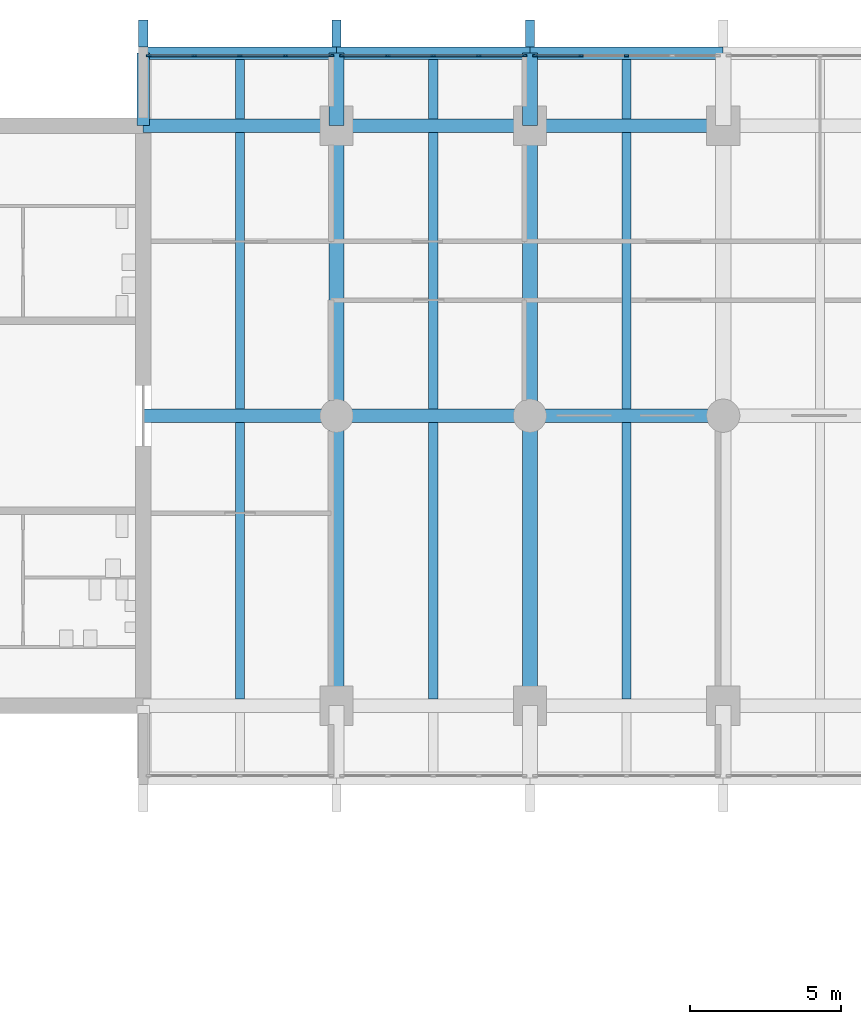
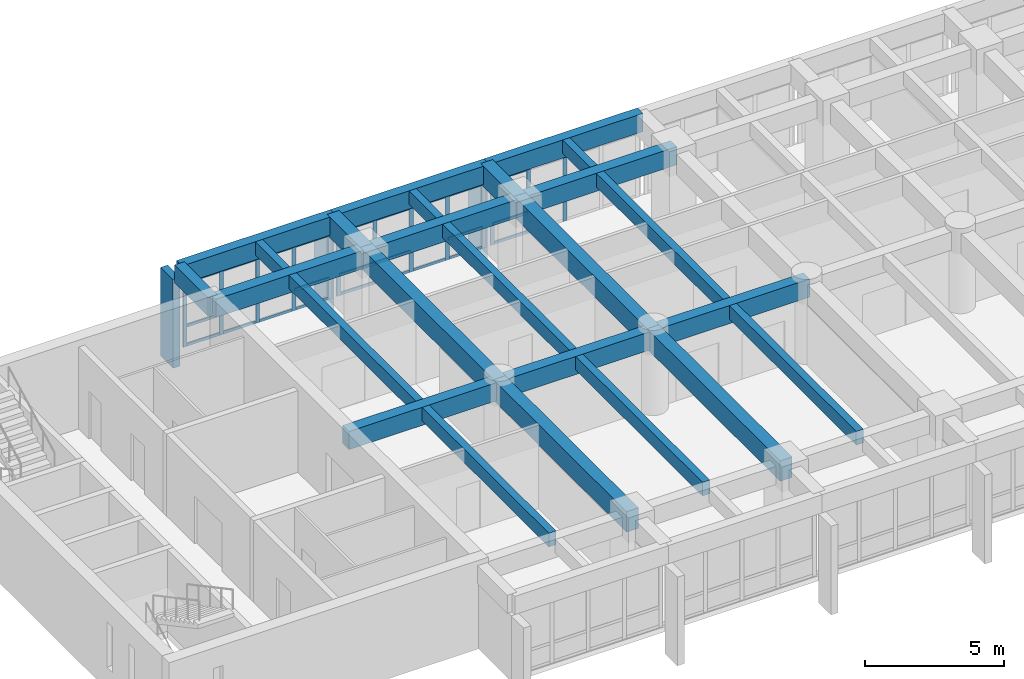
# One storey, part 4 of 19: 43 members, 25 beams, 3 elements without a shape of their own.
"""IFC4 building model written with IfcOpenShell, lengths in metres."""

from ifc_helpers import new_model, si_unit, direction, frame, origin, origin_2d, place, context, subcontext, project, spatial, rectangle, extrude, material, layer, layer_set, material_profile, profile_set, type_object, element, aggregate, save


model = new_model("IFC4")

# Units and contexts
model_context = context("Model", 3, precision=1e-05, world=origin(), true_north=direction((0.0, 1.0)))
body_context = subcontext(model_context, "Body", "Model", "MODEL_VIEW")
ifc_project = project(units=[si_unit("LENGTHUNIT", "METRE"), si_unit("AREAUNIT", "SQUARE_METRE"), si_unit("VOLUMEUNIT", "CUBIC_METRE"), si_unit("PLANEANGLEUNIT", "RADIAN"), si_unit("MASSUNIT", "GRAM", prefix="KILO")], contexts=[model_context])

# Site, building, storey
site_placement = place(None, origin())
site = spatial("IfcSite", under=ifc_project, at=site_placement, CompositionType="ELEMENT")
building_placement = place(site_placement, origin())
building = spatial("IfcBuilding", under=site, at=building_placement, Name="Fogon Plaza Fire Station and Headquarters Tower", CompositionType="ELEMENT")
storey_placement = place(building_placement, frame((0.0, 0.0, 17.10009765625)))
storey = spatial("IfcBuildingStorey", under=building, at=storey_placement, Name="L04", CompositionType="ELEMENT", Elevation=17.10009765625)

# Beams
ifc_material_1 = material(Name="Concrete C40", Category="concrete")
ifc_material_profile_1 = material_profile(ifc_material_1, rectangle(XDim=0.39990234375, YDim=0.800048828125, at=origin_2d()), Name="RC 400x800")
ifc_profile_set_1 = profile_set([ifc_material_profile_1], Name="Concrete C40")
beam_type_1 = type_object("IfcBeamType", Name="BEAM RC 400x800", PredefinedType="BEAM", material=ifc_profile_set_1)
for number, where, z_axis, x_axis, name in (
    (1, (25.60009765625, 55.199951171875, 3.27978515625), (1.0, 0.0, 0.0), (0.0, 1.0, 0.0), "beam-L04-045"),
    (2, (32.0, 55.199951171875, 3.27978515625), (1.0, 0.0, 0.0), (0.0, 1.0, 0.0), "beam-L04-046"),
):
    element("IfcBeam", number, at=place(storey_placement, frame(where, z_axis=z_axis, x_axis=x_axis)), inside=storey, type_object=beam_type_1, Name=name, PredefinedType="BEAM", context=body_context, shape_type="SweptSolid", body=[
        extrude(rectangle(XDim=0.39990234375, YDim=0.800048828125, at=origin_2d()), origin(), (0.0, 0.0, 1.0), 6.39990234375),
    ])
beam_1_placement = place(storey_placement, frame((38.39990234375, 55.199951171875, 3.27978515625), z_axis=(1.0, 0.0, 0.0), x_axis=(0.0, 1.0, 0.0)))
element("IfcBeam", 3, at=beam_1_placement, inside=storey, type_object=beam_type_1, Name="beam-L04-047", PredefinedType="BEAM", context=body_context, shape_type="SweptSolid", body=[
    extrude(rectangle(XDim=0.39990234375, YDim=0.800048828125, at=origin_2d()), origin(), (0.0, 0.0, 1.0), 6.400146484375),
])
ifc_material_2 = material(Name="Concrete C40", Category="concrete")
ifc_material_profile_2 = material_profile(ifc_material_2, rectangle(XDim=0.39990234375, YDim=0.800048828125, at=origin_2d()), Name="RC 400x800")
ifc_profile_set_2 = profile_set([ifc_material_profile_2], Name="Concrete C40")
beam_type_2 = type_object("IfcBeamType", Name="BEAM RC 400x800 SPAN 0.0 TO 3.0 M", PredefinedType="BEAM", material=ifc_profile_set_2)
beam_2_placement = place(storey_placement, frame((25.60009765625, 52.800048828125, 3.27978515625), z_axis=(0.0, 1.0, 0.0), x_axis=(-1.0, 0.0, 0.0)))
element("IfcBeam", 4, at=beam_2_placement, inside=storey, type_object=beam_type_2, Name="beam-L04-052", PredefinedType="BEAM", context=body_context, shape_type="SweptSolid", body=[
    extrude(rectangle(XDim=0.39990234375, YDim=0.800048828125, at=origin_2d()), origin(), (0.0, 0.0, 1.0), 2.39990234375),
])
ifc_material_3 = material(Name="Concrete C40", Category="concrete")
ifc_material_profile_3 = material_profile(ifc_material_3, rectangle(XDim=0.449951171875, YDim=0.800048828125, at=origin_2d()), Name="RC 450x800")
ifc_profile_set_3 = profile_set([ifc_material_profile_3], Name="Concrete C40")
beam_type_3 = type_object("IfcBeamType", Name="BEAM RC 450x800", PredefinedType="BEAM", material=ifc_profile_set_3)
for number, where, z_axis, x_axis, name in (
    (5, (25.60009765625, 43.199951171875, 3.27978515625), (1.0, 0.0, 0.0), (0.0, 1.0, 0.0), "beam-L04-027"),
    (6, (32.0, 43.199951171875, 3.27978515625), (1.0, 0.0, 0.0), (0.0, 1.0, 0.0), "beam-L04-028"),
):
    element("IfcBeam", number, at=place(storey_placement, frame(where, z_axis=z_axis, x_axis=x_axis)), inside=storey, type_object=beam_type_3, Name=name, PredefinedType="BEAM", context=body_context, shape_type="SweptSolid", body=[
        extrude(rectangle(XDim=0.449951171875, YDim=0.800048828125, at=origin_2d()), origin(), (0.0, 0.0, 1.0), 6.39990234375),
    ])
beam_3_placement = place(storey_placement, frame((38.39990234375, 43.199951171875, 3.27978515625), z_axis=(1.0, 0.0, 0.0), x_axis=(0.0, 1.0, 0.0)))
element("IfcBeam", 7, at=beam_3_placement, inside=storey, type_object=beam_type_3, Name="beam-L04-029", PredefinedType="BEAM", context=body_context, shape_type="SweptSolid", body=[
    extrude(rectangle(XDim=0.449951171875, YDim=0.800048828125, at=origin_2d()), origin(), (0.0, 0.0, 1.0), 6.400146484375),
])
for number, where, z_axis, x_axis, name in (
    (8, (25.60009765625, 52.800048828125, 3.27978515625), (1.0, 0.0, 0.0), (0.0, 1.0, 0.0), "beam-L04-033"),
    (9, (32.0, 52.800048828125, 3.27978515625), (1.0, 0.0, 0.0), (0.0, 1.0, 0.0), "beam-L04-034"),
):
    element("IfcBeam", number, at=place(storey_placement, frame(where, z_axis=z_axis, x_axis=x_axis)), inside=storey, type_object=beam_type_3, Name=name, PredefinedType="BEAM", context=body_context, shape_type="SweptSolid", body=[
        extrude(rectangle(XDim=0.449951171875, YDim=0.800048828125, at=origin_2d()), origin(), (0.0, 0.0, 1.0), 6.39990234375),
    ])
beam_4_placement = place(storey_placement, frame((38.39990234375, 52.800048828125, 3.27978515625), z_axis=(1.0, 0.0, 0.0), x_axis=(0.0, 1.0, 0.0)))
element("IfcBeam", 10, at=beam_4_placement, inside=storey, type_object=beam_type_3, Name="beam-L04-035", PredefinedType="BEAM", context=body_context, shape_type="SweptSolid", body=[
    extrude(rectangle(XDim=0.449951171875, YDim=0.800048828125, at=origin_2d()), origin(), (0.0, 0.0, 1.0), 6.400146484375),
])
ifc_material_4 = material(Name="Concrete C40", Category="concrete")
ifc_material_profile_4 = material_profile(ifc_material_4, rectangle(XDim=0.5, YDim=0.89990234375, at=origin_2d()), Name="RC 500x900")
ifc_profile_set_4 = profile_set([ifc_material_profile_4], Name="Concrete C40")
beam_type_4 = type_object("IfcBeamType", Name="BEAM RC 500x900 SPAN 0.0 TO 3.0 M", PredefinedType="BEAM", material=ifc_profile_set_4)
for number, where, z_axis, x_axis, name in (
    (11, (32.0, 52.800048828125, 3.22998046875), (0.0, 1.0, 0.0), (-1.0, 0.0, 0.0), "beam-L04-004"),
    (12, (38.39990234375, 52.800048828125, 3.22998046875), (0.0, 1.0, 0.0), (-1.0, 0.0, 0.0), "beam-L04-008"),
):
    element("IfcBeam", number, at=place(storey_placement, frame(where, z_axis=z_axis, x_axis=x_axis)), inside=storey, type_object=beam_type_4, Name=name, PredefinedType="BEAM", context=body_context, shape_type="SweptSolid", body=[
        extrude(rectangle(XDim=0.5, YDim=0.89990234375, at=origin_2d()), origin(), (0.0, 0.0, 1.0), 2.39990234375),
    ])
ifc_material_5 = material(Name="Concrete C40", Category="concrete")
ifc_material_profile_5 = material_profile(ifc_material_5, rectangle(XDim=0.5, YDim=0.89990234375, at=origin_2d()), Name="RC 500x900")
ifc_profile_set_5 = profile_set([ifc_material_profile_5], Name="Concrete C40")
beam_type_5 = type_object("IfcBeamType", Name="BEAM RC 500x900 SPAN 7.7 TO 12.3 M", PredefinedType="BEAM", material=ifc_profile_set_5)
beam_5_placement = place(storey_placement, frame((32.0, 33.60009765625, 3.22998046875), z_axis=(0.0, 1.0, 0.0), x_axis=(-1.0, 0.0, 0.0)))
element("IfcBeam", 13, at=beam_5_placement, inside=storey, type_object=beam_type_5, Name="beam-L04-002", PredefinedType="BEAM", context=body_context, shape_type="SweptSolid", body=[
    extrude(rectangle(XDim=0.5, YDim=0.89990234375, at=origin_2d()), origin(), (0.0, 0.0, 1.0), 9.599853515625),
])
beam_6_placement = place(storey_placement, frame((32.0, 43.199951171875, 3.22998046875), z_axis=(0.0, 1.0, 0.0), x_axis=(-1.0, 0.0, 0.0)))
element("IfcBeam", 14, at=beam_6_placement, inside=storey, type_object=beam_type_5, Name="beam-L04-003", PredefinedType="BEAM", context=body_context, shape_type="SweptSolid", body=[
    extrude(rectangle(XDim=0.5, YDim=0.89990234375, at=origin_2d()), origin(), (0.0, 0.0, 1.0), 9.60009765625),
])
beam_7_placement = place(storey_placement, frame((38.39990234375, 33.60009765625, 3.22998046875), z_axis=(0.0, 1.0, 0.0), x_axis=(-1.0, 0.0, 0.0)))
element("IfcBeam", 15, at=beam_7_placement, inside=storey, type_object=beam_type_5, Name="beam-L04-006", PredefinedType="BEAM", context=body_context, shape_type="SweptSolid", body=[
    extrude(rectangle(XDim=0.5, YDim=0.89990234375, at=origin_2d()), origin(), (0.0, 0.0, 1.0), 9.599853515625),
])
beam_8_placement = place(storey_placement, frame((38.39990234375, 43.199951171875, 3.22998046875), z_axis=(0.0, 1.0, 0.0), x_axis=(-1.0, 0.0, 0.0)))
element("IfcBeam", 16, at=beam_8_placement, inside=storey, type_object=beam_type_5, Name="beam-L04-007", PredefinedType="BEAM", context=body_context, shape_type="SweptSolid", body=[
    extrude(rectangle(XDim=0.5, YDim=0.89990234375, at=origin_2d()), origin(), (0.0, 0.0, 1.0), 9.60009765625),
])

# Curtain wall, members
ifc_material_6 = material(Name="Aluminium and glass", Category="aluminium")
ifc_layer = layer(ifc_material_6, 0.14990234375)
ifc_layer_set = layer_set([ifc_layer], Name="Aluminium and glass")
curtain_wall_type = type_object("IfcCurtainWallType", Name="Unitised Curtain Wall Run 6100x2880", PredefinedType="NOTDEFINED", material=ifc_layer_set)
curtain_wall_1_placement = place(storey_placement, origin())
curtain_wall_1 = element("IfcCurtainWall", 17, at=curtain_wall_1_placement, inside=storey, type_object=curtain_wall_type, Name="CW-6100x2880 N1 L04", PredefinedType="NOTDEFINED")
ifc_material_7 = material(Name="Aluminium", Category="aluminium")
ifc_material_profile_6 = material_profile(ifc_material_7, rectangle(XDim=0.06005859375, YDim=0.159912109375, at=origin_2d()), Name="Curtain Wall Mullion 60x160")
ifc_profile_set_6 = profile_set([ifc_material_profile_6], Name="Aluminium")
member_type_1 = type_object("IfcMemberType", Name="Curtain Wall Mullion 60x160", PredefinedType="MULLION", material=ifc_profile_set_6)
member_1_placement = place(storey_placement, frame((25.780029296875, 55.1201171875, 0.0), z_axis=(0.0, 0.0, 1.0), x_axis=(0.0, 1.0, 0.0)))
member_1 = element("IfcMember", 18, at=member_1_placement, type_object=member_type_1, Name="CW-6100x2880 mullion 1", PredefinedType="MULLION", context=body_context, shape_type="SweptSolid", body=[
    extrude(rectangle(XDim=0.06005859375, YDim=0.159912109375, at=origin_2d()), origin(), (0.0, 0.0, 1.0), 2.8798828125),
])
member_2_placement = place(storey_placement, frame((27.2900390625, 55.1201171875, 0.0), z_axis=(0.0, 0.0, 1.0), x_axis=(0.0, 1.0, 0.0)))
member_2 = element("IfcMember", 19, at=member_2_placement, type_object=member_type_1, Name="CW-6100x2880 mullion 2", PredefinedType="MULLION", context=body_context, shape_type="SweptSolid", body=[
    extrude(rectangle(XDim=0.06005859375, YDim=0.159912109375, at=origin_2d()), origin(), (0.0, 0.0, 1.0), 2.8798828125),
])
member_3_placement = place(storey_placement, frame((28.800048828125, 55.1201171875, 0.0), z_axis=(0.0, 0.0, 1.0), x_axis=(0.0, 1.0, 0.0)))
member_3 = element("IfcMember", 20, at=member_3_placement, type_object=member_type_1, Name="CW-6100x2880 mullion 3", PredefinedType="MULLION", context=body_context, shape_type="SweptSolid", body=[
    extrude(rectangle(XDim=0.06005859375, YDim=0.159912109375, at=origin_2d()), origin(), (0.0, 0.0, 1.0), 2.8798828125),
])
member_4_placement = place(storey_placement, frame((30.31005859375, 55.1201171875, 0.0), z_axis=(0.0, 0.0, 1.0), x_axis=(0.0, 1.0, 0.0)))
member_4 = element("IfcMember", 21, at=member_4_placement, type_object=member_type_1, Name="CW-6100x2880 mullion 4", PredefinedType="MULLION", context=body_context, shape_type="SweptSolid", body=[
    extrude(rectangle(XDim=0.06005859375, YDim=0.159912109375, at=origin_2d()), origin(), (0.0, 0.0, 1.0), 2.8798828125),
])
member_5_placement = place(storey_placement, frame((31.820068359375, 55.1201171875, 0.0), z_axis=(0.0, 0.0, 1.0), x_axis=(0.0, 1.0, 0.0)))
member_5 = element("IfcMember", 22, at=member_5_placement, type_object=member_type_1, Name="CW-6100x2880 mullion 5", PredefinedType="MULLION", context=body_context, shape_type="SweptSolid", body=[
    extrude(rectangle(XDim=0.06005859375, YDim=0.159912109375, at=origin_2d()), origin(), (0.0, 0.0, 1.0), 2.8798828125),
])

curtain_wall_2_placement = place(storey_placement, origin())
curtain_wall_2 = element("IfcCurtainWall", 23, at=curtain_wall_2_placement, inside=storey, type_object=curtain_wall_type, Name="CW-6100x2880 N2 L04", PredefinedType="NOTDEFINED")
member_6_placement = place(storey_placement, frame((32.179931640625, 55.1201171875, 0.0), z_axis=(0.0, 0.0, 1.0), x_axis=(0.0, 1.0, 0.0)))
member_6 = element("IfcMember", 24, at=member_6_placement, type_object=member_type_1, Name="CW-6100x2880 mullion 1", PredefinedType="MULLION", context=body_context, shape_type="SweptSolid", body=[
    extrude(rectangle(XDim=0.06005859375, YDim=0.159912109375, at=origin_2d()), origin(), (0.0, 0.0, 1.0), 2.8798828125),
])
member_7_placement = place(storey_placement, frame((33.68994140625, 55.1201171875, 0.0), z_axis=(0.0, 0.0, 1.0), x_axis=(0.0, 1.0, 0.0)))
member_7 = element("IfcMember", 25, at=member_7_placement, type_object=member_type_1, Name="CW-6100x2880 mullion 2", PredefinedType="MULLION", context=body_context, shape_type="SweptSolid", body=[
    extrude(rectangle(XDim=0.06005859375, YDim=0.159912109375, at=origin_2d()), origin(), (0.0, 0.0, 1.0), 2.8798828125),
])
member_8_placement = place(storey_placement, frame((35.199951171875, 55.1201171875, 0.0), z_axis=(0.0, 0.0, 1.0), x_axis=(0.0, 1.0, 0.0)))
member_8 = element("IfcMember", 26, at=member_8_placement, type_object=member_type_1, Name="CW-6100x2880 mullion 3", PredefinedType="MULLION", context=body_context, shape_type="SweptSolid", body=[
    extrude(rectangle(XDim=0.06005859375, YDim=0.159912109375, at=origin_2d()), origin(), (0.0, 0.0, 1.0), 2.8798828125),
])
member_9_placement = place(storey_placement, frame((36.7099609375, 55.1201171875, 0.0), z_axis=(0.0, 0.0, 1.0), x_axis=(0.0, 1.0, 0.0)))
member_9 = element("IfcMember", 27, at=member_9_placement, type_object=member_type_1, Name="CW-6100x2880 mullion 4", PredefinedType="MULLION", context=body_context, shape_type="SweptSolid", body=[
    extrude(rectangle(XDim=0.06005859375, YDim=0.159912109375, at=origin_2d()), origin(), (0.0, 0.0, 1.0), 2.8798828125),
])
member_10_placement = place(storey_placement, frame((38.219970703125, 55.1201171875, 0.0), z_axis=(0.0, 0.0, 1.0), x_axis=(0.0, 1.0, 0.0)))
member_10 = element("IfcMember", 28, at=member_10_placement, type_object=member_type_1, Name="CW-6100x2880 mullion 5", PredefinedType="MULLION", context=body_context, shape_type="SweptSolid", body=[
    extrude(rectangle(XDim=0.06005859375, YDim=0.159912109375, at=origin_2d()), origin(), (0.0, 0.0, 1.0), 2.8798828125),
])

curtain_wall_3_placement = place(storey_placement, origin())
curtain_wall_3 = element("IfcCurtainWall", 29, at=curtain_wall_3_placement, inside=storey, type_object=curtain_wall_type, Name="CW-6100x2880 N3 L04", PredefinedType="NOTDEFINED")
member_11_placement = place(storey_placement, frame((38.580078125, 55.1201171875, 0.0), z_axis=(0.0, 0.0, 1.0), x_axis=(0.0, 1.0, 0.0)))
member_11 = element("IfcMember", 30, at=member_11_placement, type_object=member_type_1, Name="CW-6100x2880 mullion 1", PredefinedType="MULLION", context=body_context, shape_type="SweptSolid", body=[
    extrude(rectangle(XDim=0.06005859375, YDim=0.159912109375, at=origin_2d()), origin(), (0.0, 0.0, 1.0), 2.8798828125),
])
member_12_placement = place(storey_placement, frame((40.090087890625, 55.1201171875, 0.0), z_axis=(0.0, 0.0, 1.0), x_axis=(0.0, 1.0, 0.0)))
member_12 = element("IfcMember", 31, at=member_12_placement, type_object=member_type_1, Name="CW-6100x2880 mullion 2", PredefinedType="MULLION", context=body_context, shape_type="SweptSolid", body=[
    extrude(rectangle(XDim=0.06005859375, YDim=0.159912109375, at=origin_2d()), origin(), (0.0, 0.0, 1.0), 2.8798828125),
])
member_13_placement = place(storey_placement, frame((41.60009765625, 55.1201171875, 0.0), z_axis=(0.0, 0.0, 1.0), x_axis=(0.0, 1.0, 0.0)))
member_13 = element("IfcMember", 32, at=member_13_placement, type_object=member_type_1, Name="CW-6100x2880 mullion 3", PredefinedType="MULLION", context=body_context, shape_type="SweptSolid", body=[
    extrude(rectangle(XDim=0.06005859375, YDim=0.159912109375, at=origin_2d()), origin(), (0.0, 0.0, 1.0), 2.8798828125),
])

# Member
ifc_material_8 = material(Name="Aluminium", Category="aluminium")
ifc_material_profile_7 = material_profile(ifc_material_8, rectangle(XDim=0.06005859375, YDim=0.1201171875, at=origin_2d()), Name="Curtain Wall Transom 60x120")
ifc_profile_set_7 = profile_set([ifc_material_profile_7], Name="Aluminium")
member_type_2 = type_object("IfcMemberType", Name="Curtain Wall Transom 60x120", PredefinedType="USERDEFINED", material=ifc_profile_set_7)
member_14_placement = place(storey_placement, frame((25.81005859375, 55.1201171875, 0.059814453125), z_axis=(1.0, 0.0, 0.0), x_axis=(0.0, 1.0, 0.0)))
member_14 = element("IfcMember", 33, at=member_14_placement, type_object=member_type_2, Name="CW-6100x2880 transom 1.1", ObjectType="TRANSOM", PredefinedType="USERDEFINED", context=body_context, shape_type="SweptSolid", body=[
    extrude(rectangle(XDim=0.06005859375, YDim=0.1201171875, at=origin_2d()), origin(), (0.0, 0.0, 1.0), 1.449951171875),
])

member_15_placement = place(storey_placement, frame((25.81005859375, 55.1201171875, 0.89990234375), z_axis=(1.0, 0.0, 0.0), x_axis=(0.0, 1.0, 0.0)))
member_15 = element("IfcMember", 34, at=member_15_placement, type_object=member_type_2, Name="CW-6100x2880 transom 1.2", ObjectType="TRANSOM", PredefinedType="USERDEFINED", context=body_context, shape_type="SweptSolid", body=[
    extrude(rectangle(XDim=0.06005859375, YDim=0.1201171875, at=origin_2d()), origin(), (0.0, 0.0, 1.0), 1.449951171875),
])

member_16_placement = place(storey_placement, frame((25.81005859375, 55.1201171875, 2.81982421875), z_axis=(1.0, 0.0, 0.0), x_axis=(0.0, 1.0, 0.0)))
member_16 = element("IfcMember", 35, at=member_16_placement, type_object=member_type_2, Name="CW-6100x2880 transom 1.3", ObjectType="TRANSOM", PredefinedType="USERDEFINED", context=body_context, shape_type="SweptSolid", body=[
    extrude(rectangle(XDim=0.06005859375, YDim=0.1201171875, at=origin_2d()), origin(), (0.0, 0.0, 1.0), 1.449951171875),
])

member_17_placement = place(storey_placement, frame((27.320068359375, 55.1201171875, 0.059814453125), z_axis=(1.0, 0.0, 0.0), x_axis=(0.0, 1.0, 0.0)))
member_17 = element("IfcMember", 36, at=member_17_placement, type_object=member_type_2, Name="CW-6100x2880 transom 2.1", ObjectType="TRANSOM", PredefinedType="USERDEFINED", context=body_context, shape_type="SweptSolid", body=[
    extrude(rectangle(XDim=0.06005859375, YDim=0.1201171875, at=origin_2d()), origin(), (0.0, 0.0, 1.0), 1.449951171875),
])

member_18_placement = place(storey_placement, frame((27.320068359375, 55.1201171875, 0.89990234375), z_axis=(1.0, 0.0, 0.0), x_axis=(0.0, 1.0, 0.0)))
member_18 = element("IfcMember", 37, at=member_18_placement, type_object=member_type_2, Name="CW-6100x2880 transom 2.2", ObjectType="TRANSOM", PredefinedType="USERDEFINED", context=body_context, shape_type="SweptSolid", body=[
    extrude(rectangle(XDim=0.06005859375, YDim=0.1201171875, at=origin_2d()), origin(), (0.0, 0.0, 1.0), 1.449951171875),
])

member_19_placement = place(storey_placement, frame((27.320068359375, 55.1201171875, 2.81982421875), z_axis=(1.0, 0.0, 0.0), x_axis=(0.0, 1.0, 0.0)))
member_19 = element("IfcMember", 38, at=member_19_placement, type_object=member_type_2, Name="CW-6100x2880 transom 2.3", ObjectType="TRANSOM", PredefinedType="USERDEFINED", context=body_context, shape_type="SweptSolid", body=[
    extrude(rectangle(XDim=0.06005859375, YDim=0.1201171875, at=origin_2d()), origin(), (0.0, 0.0, 1.0), 1.449951171875),
])

member_20_placement = place(storey_placement, frame((28.830078125, 55.1201171875, 0.059814453125), z_axis=(1.0, 0.0, 0.0), x_axis=(0.0, 1.0, 0.0)))
member_20 = element("IfcMember", 39, at=member_20_placement, type_object=member_type_2, Name="CW-6100x2880 transom 3.1", ObjectType="TRANSOM", PredefinedType="USERDEFINED", context=body_context, shape_type="SweptSolid", body=[
    extrude(rectangle(XDim=0.06005859375, YDim=0.1201171875, at=origin_2d()), origin(), (0.0, 0.0, 1.0), 1.449951171875),
])

member_21_placement = place(storey_placement, frame((28.830078125, 55.1201171875, 0.89990234375), z_axis=(1.0, 0.0, 0.0), x_axis=(0.0, 1.0, 0.0)))
member_21 = element("IfcMember", 40, at=member_21_placement, type_object=member_type_2, Name="CW-6100x2880 transom 3.2", ObjectType="TRANSOM", PredefinedType="USERDEFINED", context=body_context, shape_type="SweptSolid", body=[
    extrude(rectangle(XDim=0.06005859375, YDim=0.1201171875, at=origin_2d()), origin(), (0.0, 0.0, 1.0), 1.449951171875),
])

member_22_placement = place(storey_placement, frame((28.830078125, 55.1201171875, 2.81982421875), z_axis=(1.0, 0.0, 0.0), x_axis=(0.0, 1.0, 0.0)))
member_22 = element("IfcMember", 41, at=member_22_placement, type_object=member_type_2, Name="CW-6100x2880 transom 3.3", ObjectType="TRANSOM", PredefinedType="USERDEFINED", context=body_context, shape_type="SweptSolid", body=[
    extrude(rectangle(XDim=0.06005859375, YDim=0.1201171875, at=origin_2d()), origin(), (0.0, 0.0, 1.0), 1.449951171875),
])

member_23_placement = place(storey_placement, frame((30.340087890625, 55.1201171875, 0.059814453125), z_axis=(1.0, 0.0, 0.0), x_axis=(0.0, 1.0, 0.0)))
member_23 = element("IfcMember", 42, at=member_23_placement, type_object=member_type_2, Name="CW-6100x2880 transom 4.1", ObjectType="TRANSOM", PredefinedType="USERDEFINED", context=body_context, shape_type="SweptSolid", body=[
    extrude(rectangle(XDim=0.06005859375, YDim=0.1201171875, at=origin_2d()), origin(), (0.0, 0.0, 1.0), 1.449951171875),
])

member_24_placement = place(storey_placement, frame((30.340087890625, 55.1201171875, 0.89990234375), z_axis=(1.0, 0.0, 0.0), x_axis=(0.0, 1.0, 0.0)))
member_24 = element("IfcMember", 43, at=member_24_placement, type_object=member_type_2, Name="CW-6100x2880 transom 4.2", ObjectType="TRANSOM", PredefinedType="USERDEFINED", context=body_context, shape_type="SweptSolid", body=[
    extrude(rectangle(XDim=0.06005859375, YDim=0.1201171875, at=origin_2d()), origin(), (0.0, 0.0, 1.0), 1.449951171875),
])

member_25_placement = place(storey_placement, frame((30.340087890625, 55.1201171875, 2.81982421875), z_axis=(1.0, 0.0, 0.0), x_axis=(0.0, 1.0, 0.0)))
member_25 = element("IfcMember", 44, at=member_25_placement, type_object=member_type_2, Name="CW-6100x2880 transom 4.3", ObjectType="TRANSOM", PredefinedType="USERDEFINED", context=body_context, shape_type="SweptSolid", body=[
    extrude(rectangle(XDim=0.06005859375, YDim=0.1201171875, at=origin_2d()), origin(), (0.0, 0.0, 1.0), 1.449951171875),
])

aggregate(curtain_wall_1, [member_1, member_2, member_3, member_4, member_5, member_14, member_15, member_16, member_17, member_18, member_19, member_20, member_21, member_22, member_23, member_24, member_25])

member_26_placement = place(storey_placement, frame((32.2099609375, 55.1201171875, 0.059814453125), z_axis=(1.0, 0.0, 0.0), x_axis=(0.0, 1.0, 0.0)))
member_26 = element("IfcMember", 45, at=member_26_placement, type_object=member_type_2, Name="CW-6100x2880 transom 1.1", ObjectType="TRANSOM", PredefinedType="USERDEFINED", context=body_context, shape_type="SweptSolid", body=[
    extrude(rectangle(XDim=0.06005859375, YDim=0.1201171875, at=origin_2d()), origin(), (0.0, 0.0, 1.0), 1.449951171875),
])

member_27_placement = place(storey_placement, frame((32.2099609375, 55.1201171875, 0.89990234375), z_axis=(1.0, 0.0, 0.0), x_axis=(0.0, 1.0, 0.0)))
member_27 = element("IfcMember", 46, at=member_27_placement, type_object=member_type_2, Name="CW-6100x2880 transom 1.2", ObjectType="TRANSOM", PredefinedType="USERDEFINED", context=body_context, shape_type="SweptSolid", body=[
    extrude(rectangle(XDim=0.06005859375, YDim=0.1201171875, at=origin_2d()), origin(), (0.0, 0.0, 1.0), 1.449951171875),
])

member_28_placement = place(storey_placement, frame((32.2099609375, 55.1201171875, 2.81982421875), z_axis=(1.0, 0.0, 0.0), x_axis=(0.0, 1.0, 0.0)))
member_28 = element("IfcMember", 47, at=member_28_placement, type_object=member_type_2, Name="CW-6100x2880 transom 1.3", ObjectType="TRANSOM", PredefinedType="USERDEFINED", context=body_context, shape_type="SweptSolid", body=[
    extrude(rectangle(XDim=0.06005859375, YDim=0.1201171875, at=origin_2d()), origin(), (0.0, 0.0, 1.0), 1.449951171875),
])

member_29_placement = place(storey_placement, frame((33.719970703125, 55.1201171875, 0.059814453125), z_axis=(1.0, 0.0, 0.0), x_axis=(0.0, 1.0, 0.0)))
member_29 = element("IfcMember", 48, at=member_29_placement, type_object=member_type_2, Name="CW-6100x2880 transom 2.1", ObjectType="TRANSOM", PredefinedType="USERDEFINED", context=body_context, shape_type="SweptSolid", body=[
    extrude(rectangle(XDim=0.06005859375, YDim=0.1201171875, at=origin_2d()), origin(), (0.0, 0.0, 1.0), 1.449951171875),
])

member_30_placement = place(storey_placement, frame((33.719970703125, 55.1201171875, 0.89990234375), z_axis=(1.0, 0.0, 0.0), x_axis=(0.0, 1.0, 0.0)))
member_30 = element("IfcMember", 49, at=member_30_placement, type_object=member_type_2, Name="CW-6100x2880 transom 2.2", ObjectType="TRANSOM", PredefinedType="USERDEFINED", context=body_context, shape_type="SweptSolid", body=[
    extrude(rectangle(XDim=0.06005859375, YDim=0.1201171875, at=origin_2d()), origin(), (0.0, 0.0, 1.0), 1.449951171875),
])

member_31_placement = place(storey_placement, frame((33.719970703125, 55.1201171875, 2.81982421875), z_axis=(1.0, 0.0, 0.0), x_axis=(0.0, 1.0, 0.0)))
member_31 = element("IfcMember", 50, at=member_31_placement, type_object=member_type_2, Name="CW-6100x2880 transom 2.3", ObjectType="TRANSOM", PredefinedType="USERDEFINED", context=body_context, shape_type="SweptSolid", body=[
    extrude(rectangle(XDim=0.06005859375, YDim=0.1201171875, at=origin_2d()), origin(), (0.0, 0.0, 1.0), 1.449951171875),
])

member_32_placement = place(storey_placement, frame((35.22998046875, 55.1201171875, 0.059814453125), z_axis=(1.0, 0.0, 0.0), x_axis=(0.0, 1.0, 0.0)))
member_32 = element("IfcMember", 51, at=member_32_placement, type_object=member_type_2, Name="CW-6100x2880 transom 3.1", ObjectType="TRANSOM", PredefinedType="USERDEFINED", context=body_context, shape_type="SweptSolid", body=[
    extrude(rectangle(XDim=0.06005859375, YDim=0.1201171875, at=origin_2d()), origin(), (0.0, 0.0, 1.0), 1.449951171875),
])

member_33_placement = place(storey_placement, frame((35.22998046875, 55.1201171875, 0.89990234375), z_axis=(1.0, 0.0, 0.0), x_axis=(0.0, 1.0, 0.0)))
member_33 = element("IfcMember", 52, at=member_33_placement, type_object=member_type_2, Name="CW-6100x2880 transom 3.2", ObjectType="TRANSOM", PredefinedType="USERDEFINED", context=body_context, shape_type="SweptSolid", body=[
    extrude(rectangle(XDim=0.06005859375, YDim=0.1201171875, at=origin_2d()), origin(), (0.0, 0.0, 1.0), 1.449951171875),
])

member_34_placement = place(storey_placement, frame((35.22998046875, 55.1201171875, 2.81982421875), z_axis=(1.0, 0.0, 0.0), x_axis=(0.0, 1.0, 0.0)))
member_34 = element("IfcMember", 53, at=member_34_placement, type_object=member_type_2, Name="CW-6100x2880 transom 3.3", ObjectType="TRANSOM", PredefinedType="USERDEFINED", context=body_context, shape_type="SweptSolid", body=[
    extrude(rectangle(XDim=0.06005859375, YDim=0.1201171875, at=origin_2d()), origin(), (0.0, 0.0, 1.0), 1.449951171875),
])

member_35_placement = place(storey_placement, frame((36.739990234375, 55.1201171875, 0.059814453125), z_axis=(1.0, 0.0, 0.0), x_axis=(0.0, 1.0, 0.0)))
member_35 = element("IfcMember", 54, at=member_35_placement, type_object=member_type_2, Name="CW-6100x2880 transom 4.1", ObjectType="TRANSOM", PredefinedType="USERDEFINED", context=body_context, shape_type="SweptSolid", body=[
    extrude(rectangle(XDim=0.06005859375, YDim=0.1201171875, at=origin_2d()), origin(), (0.0, 0.0, 1.0), 1.449951171875),
])

member_36_placement = place(storey_placement, frame((36.739990234375, 55.1201171875, 0.89990234375), z_axis=(1.0, 0.0, 0.0), x_axis=(0.0, 1.0, 0.0)))
member_36 = element("IfcMember", 55, at=member_36_placement, type_object=member_type_2, Name="CW-6100x2880 transom 4.2", ObjectType="TRANSOM", PredefinedType="USERDEFINED", context=body_context, shape_type="SweptSolid", body=[
    extrude(rectangle(XDim=0.06005859375, YDim=0.1201171875, at=origin_2d()), origin(), (0.0, 0.0, 1.0), 1.449951171875),
])

member_37_placement = place(storey_placement, frame((36.739990234375, 55.1201171875, 2.81982421875), z_axis=(1.0, 0.0, 0.0), x_axis=(0.0, 1.0, 0.0)))
member_37 = element("IfcMember", 56, at=member_37_placement, type_object=member_type_2, Name="CW-6100x2880 transom 4.3", ObjectType="TRANSOM", PredefinedType="USERDEFINED", context=body_context, shape_type="SweptSolid", body=[
    extrude(rectangle(XDim=0.06005859375, YDim=0.1201171875, at=origin_2d()), origin(), (0.0, 0.0, 1.0), 1.449951171875),
])

aggregate(curtain_wall_2, [member_6, member_7, member_8, member_9, member_10, member_26, member_27, member_28, member_29, member_30, member_31, member_32, member_33, member_34, member_35, member_36, member_37])

member_38_placement = place(storey_placement, frame((38.610107421875, 55.1201171875, 0.059814453125), z_axis=(1.0, 0.0, 0.0), x_axis=(0.0, 1.0, 0.0)))
member_38 = element("IfcMember", 57, at=member_38_placement, type_object=member_type_2, Name="CW-6100x2880 transom 1.1", ObjectType="TRANSOM", PredefinedType="USERDEFINED", context=body_context, shape_type="SweptSolid", body=[
    extrude(rectangle(XDim=0.06005859375, YDim=0.1201171875, at=origin_2d()), origin(), (0.0, 0.0, 1.0), 1.449951171875),
])

member_39_placement = place(storey_placement, frame((38.610107421875, 55.1201171875, 0.89990234375), z_axis=(1.0, 0.0, 0.0), x_axis=(0.0, 1.0, 0.0)))
member_39 = element("IfcMember", 58, at=member_39_placement, type_object=member_type_2, Name="CW-6100x2880 transom 1.2", ObjectType="TRANSOM", PredefinedType="USERDEFINED", context=body_context, shape_type="SweptSolid", body=[
    extrude(rectangle(XDim=0.06005859375, YDim=0.1201171875, at=origin_2d()), origin(), (0.0, 0.0, 1.0), 1.449951171875),
])

member_40_placement = place(storey_placement, frame((38.610107421875, 55.1201171875, 2.81982421875), z_axis=(1.0, 0.0, 0.0), x_axis=(0.0, 1.0, 0.0)))
member_40 = element("IfcMember", 59, at=member_40_placement, type_object=member_type_2, Name="CW-6100x2880 transom 1.3", ObjectType="TRANSOM", PredefinedType="USERDEFINED", context=body_context, shape_type="SweptSolid", body=[
    extrude(rectangle(XDim=0.06005859375, YDim=0.1201171875, at=origin_2d()), origin(), (0.0, 0.0, 1.0), 1.449951171875),
])

aggregate(curtain_wall_3, [member_11, member_12, member_13, member_38, member_39, member_40])

# Beams
ifc_material_9 = material(Name="Concrete C40", Category="concrete")
ifc_material_profile_8 = material_profile(ifc_material_9, rectangle(XDim=0.300048828125, YDim=0.60009765625, at=origin_2d()), Name="RC 300x600")
ifc_profile_set_8 = profile_set([ifc_material_profile_8], Name="Concrete C40")
beam_type_6 = type_object("IfcBeamType", Name="JOIST RC 300x600", PredefinedType="JOIST", material=ifc_profile_set_8)
beam_9_placement = place(storey_placement, frame((28.800048828125, 33.824951171875, 3.3798828125), z_axis=(0.0, 1.0, 0.0), x_axis=(-1.0, 0.0, 0.0)))
element("IfcBeam", 60, at=beam_9_placement, inside=storey, type_object=beam_type_6, Name="beam-L04-056", PredefinedType="JOIST", context=body_context, shape_type="SweptSolid", body=[
    extrude(rectangle(XDim=0.300048828125, YDim=0.60009765625, at=origin_2d()), origin(), (0.0, 0.0, 1.0), 9.150146484375),
])
beam_10_placement = place(storey_placement, frame((28.800048828125, 43.425048828125, 3.3798828125), z_axis=(0.0, 1.0, 0.0), x_axis=(-1.0, 0.0, 0.0)))
element("IfcBeam", 61, at=beam_10_placement, inside=storey, type_object=beam_type_6, Name="beam-L04-057", PredefinedType="JOIST", context=body_context, shape_type="SweptSolid", body=[
    extrude(rectangle(XDim=0.300048828125, YDim=0.60009765625, at=origin_2d()), origin(), (0.0, 0.0, 1.0), 9.14990234375),
])
beam_11_placement = place(storey_placement, frame((35.199951171875, 33.824951171875, 3.3798828125), z_axis=(0.0, 1.0, 0.0), x_axis=(-1.0, 0.0, 0.0)))
element("IfcBeam", 62, at=beam_11_placement, inside=storey, type_object=beam_type_6, Name="beam-L04-060", PredefinedType="JOIST", context=body_context, shape_type="SweptSolid", body=[
    extrude(rectangle(XDim=0.300048828125, YDim=0.60009765625, at=origin_2d()), origin(), (0.0, 0.0, 1.0), 9.150146484375),
])
beam_12_placement = place(storey_placement, frame((35.199951171875, 43.425048828125, 3.3798828125), z_axis=(0.0, 1.0, 0.0), x_axis=(-1.0, 0.0, 0.0)))
element("IfcBeam", 63, at=beam_12_placement, inside=storey, type_object=beam_type_6, Name="beam-L04-061", PredefinedType="JOIST", context=body_context, shape_type="SweptSolid", body=[
    extrude(rectangle(XDim=0.300048828125, YDim=0.60009765625, at=origin_2d()), origin(), (0.0, 0.0, 1.0), 9.14990234375),
])
beam_13_placement = place(storey_placement, frame((41.60009765625, 33.824951171875, 3.3798828125), z_axis=(0.0, 1.0, 0.0), x_axis=(-1.0, 0.0, 0.0)))
element("IfcBeam", 64, at=beam_13_placement, inside=storey, type_object=beam_type_6, Name="beam-L04-064", PredefinedType="JOIST", context=body_context, shape_type="SweptSolid", body=[
    extrude(rectangle(XDim=0.300048828125, YDim=0.60009765625, at=origin_2d()), origin(), (0.0, 0.0, 1.0), 9.150146484375),
])
beam_14_placement = place(storey_placement, frame((41.60009765625, 43.425048828125, 3.3798828125), z_axis=(0.0, 1.0, 0.0), x_axis=(-1.0, 0.0, 0.0)))
element("IfcBeam", 65, at=beam_14_placement, inside=storey, type_object=beam_type_6, Name="beam-L04-065", PredefinedType="JOIST", context=body_context, shape_type="SweptSolid", body=[
    extrude(rectangle(XDim=0.300048828125, YDim=0.60009765625, at=origin_2d()), origin(), (0.0, 0.0, 1.0), 9.14990234375),
])
ifc_material_10 = material(Name="Concrete C40", Category="concrete")
ifc_material_profile_9 = material_profile(ifc_material_10, rectangle(XDim=0.300048828125, YDim=0.60009765625, at=origin_2d()), Name="RC 300x600")
ifc_profile_set_9 = profile_set([ifc_material_profile_9], Name="Concrete C40")
beam_type_7 = type_object("IfcBeamType", Name="JOIST RC 300x600 SPAN 0.0 TO 3.0 M", PredefinedType="JOIST", material=ifc_profile_set_9)
for number, where, z_axis, x_axis, name in (
    (66, (28.800048828125, 53.02490234375, 3.3798828125), (0.0, 1.0, 0.0), (-1.0, 0.0, 0.0), "beam-L04-058"),
    (67, (35.199951171875, 53.02490234375, 3.3798828125), (0.0, 1.0, 0.0), (-1.0, 0.0, 0.0), "beam-L04-062"),
    (68, (41.60009765625, 53.02490234375, 3.3798828125), (0.0, 1.0, 0.0), (-1.0, 0.0, 0.0), "beam-L04-066"),
):
    element("IfcBeam", number, at=place(storey_placement, frame(where, z_axis=z_axis, x_axis=x_axis)), inside=storey, type_object=beam_type_7, Name=name, PredefinedType="JOIST", context=body_context, shape_type="SweptSolid", body=[
        extrude(rectangle(XDim=0.300048828125, YDim=0.60009765625, at=origin_2d()), origin(), (0.0, 0.0, 1.0), 1.97509765625),
    ])

# Members
ifc_material_11 = material(Name="Concrete C40 precast", Category="concrete")
ifc_material_profile_10 = material_profile(ifc_material_11, rectangle(XDim=0.300048828125, YDim=0.89990234375, at=origin_2d()), Name="Precast Concrete Post 300x900")
ifc_profile_set_10 = profile_set([ifc_material_profile_10], Name="Concrete C40 precast")
member_type_3 = type_object("IfcMemberType", Name="Precast Concrete Post 300x900", PredefinedType="POST", material=ifc_profile_set_10)
for number, where, z_axis, x_axis, name in (
    (69, (25.60009765625, 55.85009765625, -1.02001953125), (0.0, 0.0, 1.0), (1.0, 0.0, 0.0), "Precast Post N L04"),
    (70, (32.0, 55.85009765625, -1.02001953125), (0.0, 0.0, 1.0), (1.0, 0.0, 0.0), "Precast Post N L04"),
    (71, (38.39990234375, 55.85009765625, -1.02001953125), (0.0, 0.0, 1.0), (1.0, 0.0, 0.0), "Precast Post N L04"),
):
    element("IfcMember", number, at=place(storey_placement, frame(where, z_axis=z_axis, x_axis=x_axis)), inside=storey, type_object=member_type_3, Name=name, PredefinedType="POST", context=body_context, shape_type="SweptSolid", body=[
        extrude(rectangle(XDim=0.300048828125, YDim=0.89990234375, at=origin_2d()), origin(), (0.0, 0.0, 1.0), 3.89990234375),
    ])

save(model, "model.ifc")
